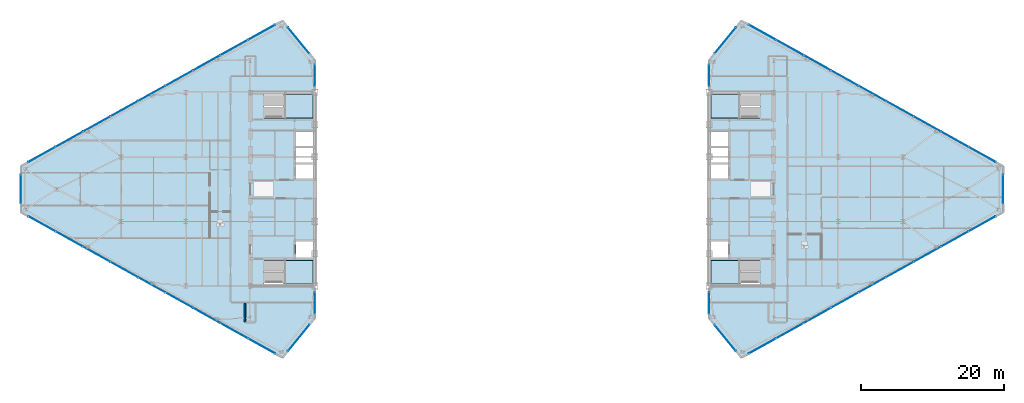
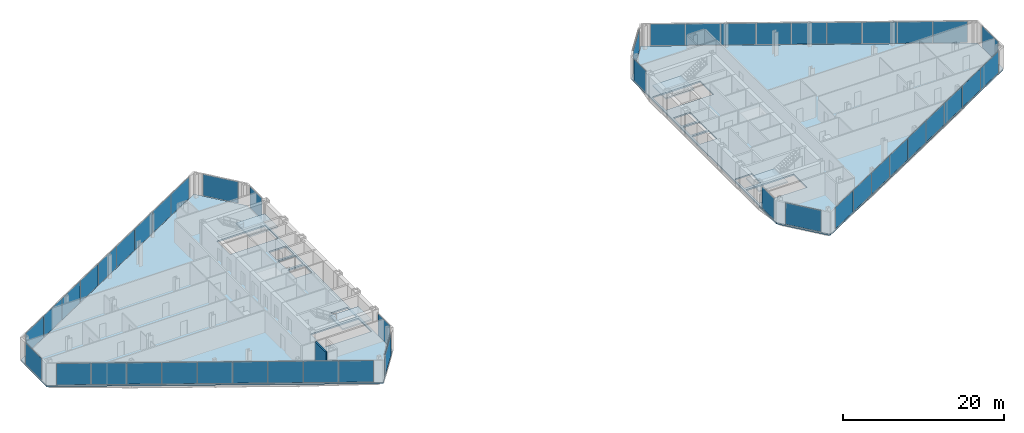
# One storey, part 18 of 26: 46 plates, 6 slabs, 1 wall, 18 elements without a shape of their own.
"""IFC4 building model written with IfcOpenShell, lengths in metres."""

from ifc_helpers import new_model, si_unit, direction, frame, frame_2d, origin, origin_2d, place, context, subcontext, project, spatial, polyline, rectangle, outline, extrude, source, transform, mapped, material, layer, layer_set, type_object, type_shapes, element, aggregate, save


model = new_model("IFC4")

# Units and contexts
model_context = context("Model", 3, precision=1e-05, world=origin(), true_north=direction((0.0, 1.0)))
body_context = subcontext(model_context, "Body", "Model", "MODEL_VIEW")
ifc_project = project(units=[si_unit("LENGTHUNIT", "METRE"), si_unit("AREAUNIT", "SQUARE_METRE"), si_unit("VOLUMEUNIT", "CUBIC_METRE"), si_unit("PLANEANGLEUNIT", "RADIAN"), si_unit("MASSUNIT", "GRAM", prefix="KILO")], contexts=[model_context])

# Site, building, storey
site_placement = place(None, origin())
site = spatial("IfcSite", under=ifc_project, at=site_placement, CompositionType="ELEMENT")
building_placement = place(site_placement, origin())
building = spatial("IfcBuilding", under=site, at=building_placement, Name="Seokmaru Belvedere", CompositionType="ELEMENT")
storey_placement = place(building_placement, frame((0.0, 0.0, 192.300048828125)))
storey = spatial("IfcBuildingStorey", under=building, at=storey_placement, Name="L51", CompositionType="ELEMENT", Elevation=192.300048828125)

# Stair, slab
ifc_material_1 = material(Name="Concrete C40 (40 MPa)", Category="concrete")
stair_type = type_object("IfcStairType", Name="Typical Tower Core Dog-Leg Stair 3600", PredefinedType="TWO_STRAIGHT_RUN_STAIR", material=ifc_material_1)
stair_1_placement = place(storey_placement, origin())
stair_1 = element("IfcStair", 1, at=stair_1_placement, inside=storey, type_object=stair_type, Name="L51 Special Escape Stair ST-W1", PredefinedType="TWO_STRAIGHT_RUN_STAIR")
ifc_layer_1 = layer(ifc_material_1, 0.199951171875)
ifc_layer_set_1 = layer_set([ifc_layer_1], Name="Concrete C40 (40 MPa)")
slab_type_1 = type_object("IfcSlabType", Name="Reinforced Concrete Stair Landing Slab 200", PredefinedType="LANDING", material=ifc_layer_set_1)
slab_1_placement = place(storey_placement, frame((0.0, 0.0, 1.599853515625)))
slab_1 = element("IfcSlab", 2, at=slab_1_placement, type_object=slab_type_1, Name="ST-W1 landing 1", PredefinedType="LANDING", context=body_context, shape_type="SweptSolid", body=[
    extrude(outline(polyline([(-31.8798828125, -13.239990234375), (-27.760009765625, -13.239990234375), (-27.760009765625, -9.949951171875), (-31.8798828125, -9.949951171875), (-31.8798828125, -13.239990234375)])), origin(), (0.0, 0.0, 1.0), 0.2001953125),
])
aggregate(stair_1, [slab_1])

stair_2_placement = place(storey_placement, origin())
stair_2 = element("IfcStair", 3, at=stair_2_placement, inside=storey, type_object=stair_type, Name="L51 Special Escape Stair ST-W2", PredefinedType="TWO_STRAIGHT_RUN_STAIR")
slab_2_placement = place(storey_placement, frame((0.0, 0.0, 1.599853515625)))
slab_2 = element("IfcSlab", 4, at=slab_2_placement, type_object=slab_type_1, Name="ST-W2 landing 1", PredefinedType="LANDING", context=body_context, shape_type="SweptSolid", body=[
    extrude(outline(polyline([(-31.8798828125, 9.949951171875), (-27.760009765625, 9.949951171875), (-27.760009765625, 13.239990234375), (-31.8798828125, 13.239990234375), (-31.8798828125, 9.949951171875)])), origin(), (0.0, 0.0, 1.0), 0.2001953125),
])
aggregate(stair_2, [slab_2])

stair_3_placement = place(storey_placement, origin())
stair_3 = element("IfcStair", 5, at=stair_3_placement, inside=storey, type_object=stair_type, Name="L51 Special Escape Stair ST-E1", PredefinedType="TWO_STRAIGHT_RUN_STAIR")
slab_3_placement = place(storey_placement, frame((0.0, 0.0, 1.599853515625)))
slab_3 = element("IfcSlab", 6, at=slab_3_placement, type_object=slab_type_1, Name="ST-E1 landing 1", PredefinedType="LANDING", context=body_context, shape_type="SweptSolid", body=[
    extrude(outline(polyline([(27.760009765625, -13.239990234375), (31.8798828125, -13.239990234375), (31.8798828125, -9.949951171875), (27.760009765625, -9.949951171875), (27.760009765625, -13.239990234375)])), origin(), (0.0, 0.0, 1.0), 0.2001953125),
])
aggregate(stair_3, [slab_3])

stair_4_placement = place(storey_placement, origin())
stair_4 = element("IfcStair", 7, at=stair_4_placement, inside=storey, type_object=stair_type, Name="L51 Special Escape Stair ST-E2", PredefinedType="TWO_STRAIGHT_RUN_STAIR")
slab_4_placement = place(storey_placement, frame((0.0, 0.0, 1.599853515625)))
slab_4 = element("IfcSlab", 8, at=slab_4_placement, type_object=slab_type_1, Name="ST-E2 landing 1", PredefinedType="LANDING", context=body_context, shape_type="SweptSolid", body=[
    extrude(outline(polyline([(27.760009765625, 9.949951171875), (31.8798828125, 9.949951171875), (31.8798828125, 13.239990234375), (27.760009765625, 13.239990234375), (27.760009765625, 9.949951171875)])), origin(), (0.0, 0.0, 1.0), 0.2001953125),
])
aggregate(stair_4, [slab_4])

# Slabs
ifc_layer_2 = layer(ifc_material_1, 0.219970703125)
ifc_layer_set_2 = layer_set([ifc_layer_2], Name="Concrete C40 (40 MPa)")
slab_type_2 = type_object("IfcSlabType", Name="Typical Tower Composite Floor Slab 220", PredefinedType="FLOOR", material=ifc_layer_set_2)
slab_5_placement = place(storey_placement, frame((0.0, 0.0, -0.219970703125)))
element("IfcSlab", 9, at=slab_5_placement, inside=storey, type_object=slab_type_2, Name="L51 West Leg Floor Slab", PredefinedType="FLOOR", context=body_context, shape_type="SweptSolid", body=[
    extrude(outline(polyline([(-27.5, -18.0), (-27.5, 18.0), (-32.0, 23.5), (-68.5, 3.199951171875), (-68.5, -3.199951171875), (-32.0, -23.5), (-27.5, -18.0)]), holes=[polyline([(-34.60009765625, -13.25), (-27.75, -13.25), (-27.75, -9.949951171875), (-34.60009765625, -9.949951171875), (-34.60009765625, -13.25)]), polyline([(-34.60009765625, 9.949951171875), (-27.75, 9.949951171875), (-27.75, 13.25), (-34.60009765625, 13.25), (-34.60009765625, 9.949951171875)]), polyline([(-30.14990234375, -9.550048828125), (-27.75, -9.550048828125), (-27.75, -7.25), (-30.14990234375, -7.25), (-30.14990234375, -9.550048828125)]), polyline([(-30.14990234375, 1.449951171875), (-27.75, 1.449951171875), (-27.75, 3.449951171875), (-30.14990234375, 3.449951171875), (-30.14990234375, 1.449951171875)]), polyline([(-30.14990234375, 3.75), (-27.75, 3.75), (-27.75, 5.75), (-30.14990234375, 5.75), (-30.14990234375, 3.75)]), polyline([(-30.14990234375, 6.050048828125), (-27.75, 6.050048828125), (-27.75, 8.050048828125), (-30.14990234375, 8.050048828125), (-30.14990234375, 6.050048828125)])]), origin(), (0.0, 0.0, 1.0), 0.219970703125),
])
slab_6_placement = place(storey_placement, frame((0.0, 0.0, -0.219970703125)))
element("IfcSlab", 10, at=slab_6_placement, inside=storey, type_object=slab_type_2, Name="L51 East Leg Floor Slab", PredefinedType="FLOOR", context=body_context, shape_type="SweptSolid", body=[
    extrude(outline(polyline([(32.0, -23.5), (68.5, -3.199951171875), (68.5, 3.199951171875), (32.0, 23.5), (27.5, 18.0), (27.5, -18.0), (32.0, -23.5)]), holes=[polyline([(27.75, -13.25), (34.60009765625, -13.25), (34.60009765625, -9.949951171875), (27.75, -9.949951171875), (27.75, -13.25)]), polyline([(27.75, 9.949951171875), (34.60009765625, 9.949951171875), (34.60009765625, 13.25), (27.75, 13.25), (27.75, 9.949951171875)]), polyline([(27.75, -9.550048828125), (30.14990234375, -9.550048828125), (30.14990234375, -7.25), (27.75, -7.25), (27.75, -9.550048828125)]), polyline([(27.75, 1.449951171875), (30.14990234375, 1.449951171875), (30.14990234375, 3.449951171875), (27.75, 3.449951171875), (27.75, 1.449951171875)]), polyline([(27.75, 3.75), (30.14990234375, 3.75), (30.14990234375, 5.75), (27.75, 5.75), (27.75, 3.75)]), polyline([(27.75, 6.050048828125), (30.14990234375, 6.050048828125), (30.14990234375, 8.050048828125), (27.75, 8.050048828125), (27.75, 6.050048828125)])]), origin(), (0.0, 0.0, 1.0), 0.219970703125),
])

# Curtain wall, plate
ifc_material_2 = material(Name="Bronze Triple Insulating Glass", Category="glass")
ifc_layer_3 = layer(ifc_material_2, 0.179931640625)
ifc_layer_set_3 = layer_set([ifc_layer_3], Name="Bronze Triple Insulating Glass")
curtain_wall_type = type_object("IfcCurtainWallType", Name="High-Rise Wind-Corner Curtain Wall System CW-5", PredefinedType="NOTDEFINED", material=ifc_layer_set_3)
curtain_wall_1_placement = place(storey_placement, origin())
curtain_wall_1 = element("IfcCurtainWall", 11, at=curtain_wall_1_placement, inside=storey, type_object=curtain_wall_type, Name="L51 Curtain Wall WSP_1", PredefinedType="NOTDEFINED")
ifc_layer_4 = layer(ifc_material_2, 0.035888671875)
ifc_layer_set_4 = layer_set([ifc_layer_4], Name="Bronze Triple Insulating Glass")
plate_type = type_object("IfcPlateType", Name="Bronze Triple Vision Glazing Panel 36", PredefinedType="CURTAIN_PANEL", material=ifc_layer_set_4)
shared_shape_1 = source(origin(), body_context, "Body", "SweptSolid", [
    extrude(rectangle(XDim=2.969970703125, YDim=0.035888671875, at=origin_2d()), origin(), (0.0, 0.0, 1.0), 3.25),
])
plate_1_placement = place(storey_placement, frame((-27.5, -15.8798828125, 0.06494140625), z_axis=(0.0, 0.0, 1.0), x_axis=(0.0, 1.0, 0.0)))
plate_1 = element("IfcPlate", 12, at=plate_1_placement, type_object=plate_type, Name="CW:L51:WSP_1 Glazing Panel 1-1", PredefinedType="CURTAIN_PANEL", context=body_context, shape_type="MappedRepresentation", body=[
    mapped(shared_shape_1, transform((0.0, 0.0, 0.0), scale=1.0)),
])
aggregate(curtain_wall_1, [plate_1])

curtain_wall_2_placement = place(storey_placement, origin())
curtain_wall_2 = element("IfcCurtainWall", 13, at=curtain_wall_2_placement, inside=storey, type_object=curtain_wall_type, Name="L51 Curtain Wall WSP_2", PredefinedType="NOTDEFINED")
plate_2_placement = place(storey_placement, frame((-27.5, 15.8798828125, 0.06494140625), z_axis=(0.0, 0.0, 1.0), x_axis=(0.0, 1.0, 0.0)))
plate_2 = element("IfcPlate", 14, at=plate_2_placement, type_object=plate_type, Name="CW:L51:WSP_2 Glazing Panel 1-1", PredefinedType="CURTAIN_PANEL", context=body_context, shape_type="MappedRepresentation", body=[
    mapped(shared_shape_1, transform((0.0, 0.0, 0.0), scale=1.0)),
])
aggregate(curtain_wall_2, [plate_2])

curtain_wall_3_placement = place(storey_placement, origin())
curtain_wall_3 = element("IfcCurtainWall", 15, at=curtain_wall_3_placement, inside=storey, type_object=curtain_wall_type, Name="L51 Curtain Wall ESP_1", PredefinedType="NOTDEFINED")
plate_3_placement = place(storey_placement, frame((27.5, -15.8798828125, 0.06494140625), z_axis=(0.0, 0.0, 1.0), x_axis=(0.0, -1.0, 0.0)))
plate_3 = element("IfcPlate", 16, at=plate_3_placement, type_object=plate_type, Name="CW:L51:ESP_1 Glazing Panel 1-1", PredefinedType="CURTAIN_PANEL", context=body_context, shape_type="MappedRepresentation", body=[
    mapped(shared_shape_1, transform((0.0, 0.0, 0.0), scale=1.0)),
])
aggregate(curtain_wall_3, [plate_3])

curtain_wall_4_placement = place(storey_placement, origin())
curtain_wall_4 = element("IfcCurtainWall", 17, at=curtain_wall_4_placement, inside=storey, type_object=curtain_wall_type, Name="L51 Curtain Wall ESP_2", PredefinedType="NOTDEFINED")
plate_4_placement = place(storey_placement, frame((27.5, 15.8798828125, 0.06494140625), z_axis=(0.0, 0.0, 1.0), x_axis=(0.0, -1.0, 0.0)))
plate_4 = element("IfcPlate", 18, at=plate_4_placement, type_object=plate_type, Name="CW:L51:ESP_2 Glazing Panel 1-1", PredefinedType="CURTAIN_PANEL", context=body_context, shape_type="MappedRepresentation", body=[
    mapped(shared_shape_1, transform((0.0, 0.0, 0.0), scale=1.0)),
])
aggregate(curtain_wall_4, [plate_4])

curtain_wall_5_placement = place(storey_placement, origin())
curtain_wall_5 = element("IfcCurtainWall", 19, at=curtain_wall_5_placement, inside=storey, type_object=curtain_wall_type, Name="L51 Curtain Wall WF2", PredefinedType="NOTDEFINED")
shared_shape_2 = source(origin(), body_context, "Body", "SweptSolid", [
    extrude(rectangle(XDim=4.67626953125, YDim=0.035888671875, at=origin_2d()), origin(), (0.0, 0.0, 1.0), 3.25),
])
plate_5_placement = place(storey_placement, frame((-29.75, 20.75, 0.06494140625), z_axis=(0.0, 0.0, 1.0), x_axis=(-0.633253907144, 0.773944112379, 0.0)))
plate_5 = element("IfcPlate", 20, at=plate_5_placement, type_object=plate_type, Name="CW:L51:WF2 Glazing Panel 1-1", PredefinedType="CURTAIN_PANEL", context=body_context, shape_type="MappedRepresentation", body=[
    mapped(shared_shape_2, transform((0.0, 0.0, 0.0), scale=1.0)),
])
aggregate(curtain_wall_5, [plate_5])

curtain_wall_6_placement = place(storey_placement, origin())
curtain_wall_6 = element("IfcCurtainWall", 21, at=curtain_wall_6_placement, inside=storey, type_object=curtain_wall_type, Name="L51 Curtain Wall WF6", PredefinedType="NOTDEFINED")
plate_6_placement = place(storey_placement, frame((-29.75, -20.75, 0.06494140625), z_axis=(0.0, 0.0, 1.0), x_axis=(0.633253907144, 0.773944112379, 0.0)))
plate_6 = element("IfcPlate", 22, at=plate_6_placement, type_object=plate_type, Name="CW:L51:WF6 Glazing Panel 1-1", PredefinedType="CURTAIN_PANEL", context=body_context, shape_type="MappedRepresentation", body=[
    mapped(shared_shape_2, transform((0.0, 0.0, 0.0), scale=1.0)),
])
aggregate(curtain_wall_6, [plate_6])

curtain_wall_7_placement = place(storey_placement, origin())
curtain_wall_7 = element("IfcCurtainWall", 23, at=curtain_wall_7_placement, inside=storey, type_object=curtain_wall_type, Name="L51 Curtain Wall EF4", PredefinedType="NOTDEFINED")
plate_7_placement = place(storey_placement, frame((29.75, 20.75, 0.06494140625), z_axis=(0.0, 0.0, 1.0), x_axis=(-0.633253907144, -0.773944112379, 0.0)))
plate_7 = element("IfcPlate", 24, at=plate_7_placement, type_object=plate_type, Name="CW:L51:EF4 Glazing Panel 1-1", PredefinedType="CURTAIN_PANEL", context=body_context, shape_type="MappedRepresentation", body=[
    mapped(shared_shape_2, transform((0.0, 0.0, 0.0), scale=1.0)),
])
aggregate(curtain_wall_7, [plate_7])

curtain_wall_8_placement = place(storey_placement, origin())
curtain_wall_8 = element("IfcCurtainWall", 25, at=curtain_wall_8_placement, inside=storey, type_object=curtain_wall_type, Name="L51 Curtain Wall EF6", PredefinedType="NOTDEFINED")
plate_8_placement = place(storey_placement, frame((29.75, -20.75, 0.06494140625), z_axis=(0.0, 0.0, 1.0), x_axis=(0.633253907144, -0.773944112379, 0.0)))
plate_8 = element("IfcPlate", 26, at=plate_8_placement, type_object=plate_type, Name="CW:L51:EF6 Glazing Panel 1-1", PredefinedType="CURTAIN_PANEL", context=body_context, shape_type="MappedRepresentation", body=[
    mapped(shared_shape_2, transform((0.0, 0.0, 0.0), scale=1.0)),
])
aggregate(curtain_wall_8, [plate_8])

# Curtain wall, plates
curtain_wall_9_placement = place(storey_placement, origin())
curtain_wall_9 = element("IfcCurtainWall", 27, at=curtain_wall_9_placement, inside=storey, type_object=curtain_wall_type, Name="L51 Curtain Wall WF3", PredefinedType="NOTDEFINED")
shared_shape_3 = source(origin(), body_context, "Body", "SweptSolid", [
    extrude(rectangle(XDim=4.28759765625, YDim=0.035888671875, at=origin_2d()), origin(), (0.0, 0.0, 1.0), 3.25),
])
plate_9_placement = place(storey_placement, frame((-34.935302734375, 21.867431640625, 0.06494140625), z_axis=(0.0, 0.0, 1.0), x_axis=(-0.873932601598, -0.486047125147, 0.0)))
plate_9 = element("IfcPlate", 28, at=plate_9_placement, type_object=plate_type, Name="CW:L51:WF3 Glazing Panel 1-1", PredefinedType="CURTAIN_PANEL", context=body_context, shape_type="MappedRepresentation", body=[
    mapped(shared_shape_3, transform((0.0, 0.0, 0.0), scale=1.0)),
])
plate_10_placement = place(storey_placement, frame((-65.564697265625, 4.83251953125, 0.06494140625), z_axis=(0.0, 0.0, 1.0), x_axis=(-0.873932601598, -0.486047125147, 0.0)))
plate_10 = element("IfcPlate", 29, at=plate_10_placement, type_object=plate_type, Name="CW:L51:WF3 Glazing Panel 9-1", PredefinedType="CURTAIN_PANEL", context=body_context, shape_type="MappedRepresentation", body=[
    mapped(shared_shape_3, transform((0.0, 0.0, 0.0), scale=1.0)),
])

curtain_wall_10_placement = place(storey_placement, origin())
curtain_wall_10 = element("IfcCurtainWall", 30, at=curtain_wall_10_placement, inside=storey, type_object=curtain_wall_type, Name="L51 Curtain Wall WF5", PredefinedType="NOTDEFINED")
plate_11_placement = place(storey_placement, frame((-65.564697265625, -4.83251953125, 0.06494140625), z_axis=(0.0, 0.0, 1.0), x_axis=(0.873932601598, -0.486047125147, 0.0)))
plate_11 = element("IfcPlate", 31, at=plate_11_placement, type_object=plate_type, Name="CW:L51:WF5 Glazing Panel 1-1", PredefinedType="CURTAIN_PANEL", context=body_context, shape_type="MappedRepresentation", body=[
    mapped(shared_shape_3, transform((0.0, 0.0, 0.0), scale=1.0)),
])
plate_12_placement = place(storey_placement, frame((-34.935302734375, -21.867431640625, 0.06494140625), z_axis=(0.0, 0.0, 1.0), x_axis=(0.873932601598, -0.486047125147, 0.0)))
plate_12 = element("IfcPlate", 32, at=plate_12_placement, type_object=plate_type, Name="CW:L51:WF5 Glazing Panel 9-1", PredefinedType="CURTAIN_PANEL", context=body_context, shape_type="MappedRepresentation", body=[
    mapped(shared_shape_3, transform((0.0, 0.0, 0.0), scale=1.0)),
])

curtain_wall_11_placement = place(storey_placement, origin())
curtain_wall_11 = element("IfcCurtainWall", 33, at=curtain_wall_11_placement, inside=storey, type_object=curtain_wall_type, Name="L51 Curtain Wall EF1", PredefinedType="NOTDEFINED")
plate_13_placement = place(storey_placement, frame((34.935302734375, -21.867431640625, 0.06494140625), z_axis=(0.0, 0.0, 1.0), x_axis=(0.873932601598, 0.486047125147, 0.0)))
plate_13 = element("IfcPlate", 34, at=plate_13_placement, type_object=plate_type, Name="CW:L51:EF1 Glazing Panel 1-1", PredefinedType="CURTAIN_PANEL", context=body_context, shape_type="MappedRepresentation", body=[
    mapped(shared_shape_3, transform((0.0, 0.0, 0.0), scale=1.0)),
])
plate_14_placement = place(storey_placement, frame((65.564697265625, -4.83251953125, 0.06494140625), z_axis=(0.0, 0.0, 1.0), x_axis=(0.873932601598, 0.486047125147, 0.0)))
plate_14 = element("IfcPlate", 35, at=plate_14_placement, type_object=plate_type, Name="CW:L51:EF1 Glazing Panel 9-1", PredefinedType="CURTAIN_PANEL", context=body_context, shape_type="MappedRepresentation", body=[
    mapped(shared_shape_3, transform((0.0, 0.0, 0.0), scale=1.0)),
])

curtain_wall_12_placement = place(storey_placement, origin())
curtain_wall_12 = element("IfcCurtainWall", 36, at=curtain_wall_12_placement, inside=storey, type_object=curtain_wall_type, Name="L51 Curtain Wall EF3", PredefinedType="NOTDEFINED")
plate_15_placement = place(storey_placement, frame((65.564697265625, 4.83251953125, 0.06494140625), z_axis=(0.0, 0.0, 1.0), x_axis=(-0.873932601598, 0.486047125147, 0.0)))
plate_15 = element("IfcPlate", 37, at=plate_15_placement, type_object=plate_type, Name="CW:L51:EF3 Glazing Panel 1-1", PredefinedType="CURTAIN_PANEL", context=body_context, shape_type="MappedRepresentation", body=[
    mapped(shared_shape_3, transform((0.0, 0.0, 0.0), scale=1.0)),
])
plate_16_placement = place(storey_placement, frame((34.935302734375, 21.867431640625, 0.06494140625), z_axis=(0.0, 0.0, 1.0), x_axis=(-0.873932601598, 0.486047125147, 0.0)))
plate_16 = element("IfcPlate", 38, at=plate_16_placement, type_object=plate_type, Name="CW:L51:EF3 Glazing Panel 9-1", PredefinedType="CURTAIN_PANEL", context=body_context, shape_type="MappedRepresentation", body=[
    mapped(shared_shape_3, transform((0.0, 0.0, 0.0), scale=1.0)),
])

# Plate
shared_shape_4 = source(origin(), body_context, "Body", "SweptSolid", [
    extrude(rectangle(XDim=4.320068359375, YDim=0.035888671875, at=origin_2d()), origin(), (0.0, 0.0, 1.0), 3.25),
])
plate_17_placement = place(storey_placement, frame((-38.75341796875, 19.743896484375, 0.06494140625), z_axis=(0.0, 0.0, 1.0), x_axis=(-0.873932601598, -0.486047125147, 0.0)))
plate_17 = element("IfcPlate", 39, at=plate_17_placement, type_object=plate_type, Name="CW:L51:WF3 Glazing Panel 2-1", PredefinedType="CURTAIN_PANEL", context=body_context, shape_type="MappedRepresentation", body=[
    mapped(shared_shape_4, transform((0.0, 0.0, 0.0), scale=1.0)),
])

plate_18_placement = place(storey_placement, frame((-42.585693359375, 17.61279296875, 0.06494140625), z_axis=(0.0, 0.0, 1.0), x_axis=(-0.873932601598, -0.486047125147, 0.0)))
plate_18 = element("IfcPlate", 40, at=plate_18_placement, type_object=plate_type, Name="CW:L51:WF3 Glazing Panel 3-1", PredefinedType="CURTAIN_PANEL", context=body_context, shape_type="MappedRepresentation", body=[
    mapped(shared_shape_4, transform((0.0, 0.0, 0.0), scale=1.0)),
])

plate_19_placement = place(storey_placement, frame((-46.417724609375, 15.481201171875, 0.06494140625), z_axis=(0.0, 0.0, 1.0), x_axis=(-0.873932601598, -0.486047125147, 0.0)))
plate_19 = element("IfcPlate", 41, at=plate_19_placement, type_object=plate_type, Name="CW:L51:WF3 Glazing Panel 4-1", PredefinedType="CURTAIN_PANEL", context=body_context, shape_type="MappedRepresentation", body=[
    mapped(shared_shape_4, transform((0.0, 0.0, 0.0), scale=1.0)),
])

plate_20_placement = place(storey_placement, frame((-50.25, 13.35009765625, 0.06494140625), z_axis=(0.0, 0.0, 1.0), x_axis=(-0.873932601598, -0.486047125147, 0.0)))
plate_20 = element("IfcPlate", 42, at=plate_20_placement, type_object=plate_type, Name="CW:L51:WF3 Glazing Panel 5-1", PredefinedType="CURTAIN_PANEL", context=body_context, shape_type="MappedRepresentation", body=[
    mapped(shared_shape_4, transform((0.0, 0.0, 0.0), scale=1.0)),
])

plate_21_placement = place(storey_placement, frame((-54.082275390625, 11.21875, 0.06494140625), z_axis=(0.0, 0.0, 1.0), x_axis=(-0.873932601598, -0.486047125147, 0.0)))
plate_21 = element("IfcPlate", 43, at=plate_21_placement, type_object=plate_type, Name="CW:L51:WF3 Glazing Panel 6-1", PredefinedType="CURTAIN_PANEL", context=body_context, shape_type="MappedRepresentation", body=[
    mapped(shared_shape_4, transform((0.0, 0.0, 0.0), scale=1.0)),
])

plate_22_placement = place(storey_placement, frame((-57.914306640625, 9.08740234375, 0.06494140625), z_axis=(0.0, 0.0, 1.0), x_axis=(-0.873932601598, -0.486047125147, 0.0)))
plate_22 = element("IfcPlate", 44, at=plate_22_placement, type_object=plate_type, Name="CW:L51:WF3 Glazing Panel 7-1", PredefinedType="CURTAIN_PANEL", context=body_context, shape_type="MappedRepresentation", body=[
    mapped(shared_shape_4, transform((0.0, 0.0, 0.0), scale=1.0)),
])

plate_23_placement = place(storey_placement, frame((-61.74658203125, 6.9560546875, 0.06494140625), z_axis=(0.0, 0.0, 1.0), x_axis=(-0.873932601598, -0.486047125147, 0.0)))
plate_23 = element("IfcPlate", 45, at=plate_23_placement, type_object=plate_type, Name="CW:L51:WF3 Glazing Panel 8-1", PredefinedType="CURTAIN_PANEL", context=body_context, shape_type="MappedRepresentation", body=[
    mapped(shared_shape_4, transform((0.0, 0.0, 0.0), scale=1.0)),
])

aggregate(curtain_wall_9, [plate_9, plate_17, plate_18, plate_19, plate_20, plate_21, plate_22, plate_23, plate_10])

plate_24_placement = place(storey_placement, frame((-61.74658203125, -6.9560546875, 0.06494140625), z_axis=(0.0, 0.0, 1.0), x_axis=(0.873932601598, -0.486047125147, 0.0)))
plate_24 = element("IfcPlate", 46, at=plate_24_placement, type_object=plate_type, Name="CW:L51:WF5 Glazing Panel 2-1", PredefinedType="CURTAIN_PANEL", context=body_context, shape_type="MappedRepresentation", body=[
    mapped(shared_shape_4, transform((0.0, 0.0, 0.0), scale=1.0)),
])

plate_25_placement = place(storey_placement, frame((-57.914306640625, -9.08740234375, 0.06494140625), z_axis=(0.0, 0.0, 1.0), x_axis=(0.873932601598, -0.486047125147, 0.0)))
plate_25 = element("IfcPlate", 47, at=plate_25_placement, type_object=plate_type, Name="CW:L51:WF5 Glazing Panel 3-1", PredefinedType="CURTAIN_PANEL", context=body_context, shape_type="MappedRepresentation", body=[
    mapped(shared_shape_4, transform((0.0, 0.0, 0.0), scale=1.0)),
])

plate_26_placement = place(storey_placement, frame((-54.082275390625, -11.21875, 0.06494140625), z_axis=(0.0, 0.0, 1.0), x_axis=(0.873932601598, -0.486047125147, 0.0)))
plate_26 = element("IfcPlate", 48, at=plate_26_placement, type_object=plate_type, Name="CW:L51:WF5 Glazing Panel 4-1", PredefinedType="CURTAIN_PANEL", context=body_context, shape_type="MappedRepresentation", body=[
    mapped(shared_shape_4, transform((0.0, 0.0, 0.0), scale=1.0)),
])

plate_27_placement = place(storey_placement, frame((-50.25, -13.35009765625, 0.06494140625), z_axis=(0.0, 0.0, 1.0), x_axis=(0.873932601598, -0.486047125147, 0.0)))
plate_27 = element("IfcPlate", 49, at=plate_27_placement, type_object=plate_type, Name="CW:L51:WF5 Glazing Panel 5-1", PredefinedType="CURTAIN_PANEL", context=body_context, shape_type="MappedRepresentation", body=[
    mapped(shared_shape_4, transform((0.0, 0.0, 0.0), scale=1.0)),
])

plate_28_placement = place(storey_placement, frame((-46.417724609375, -15.481201171875, 0.06494140625), z_axis=(0.0, 0.0, 1.0), x_axis=(0.873932601598, -0.486047125147, 0.0)))
plate_28 = element("IfcPlate", 50, at=plate_28_placement, type_object=plate_type, Name="CW:L51:WF5 Glazing Panel 6-1", PredefinedType="CURTAIN_PANEL", context=body_context, shape_type="MappedRepresentation", body=[
    mapped(shared_shape_4, transform((0.0, 0.0, 0.0), scale=1.0)),
])

plate_29_placement = place(storey_placement, frame((-42.585693359375, -17.61279296875, 0.06494140625), z_axis=(0.0, 0.0, 1.0), x_axis=(0.873932601598, -0.486047125147, 0.0)))
plate_29 = element("IfcPlate", 51, at=plate_29_placement, type_object=plate_type, Name="CW:L51:WF5 Glazing Panel 7-1", PredefinedType="CURTAIN_PANEL", context=body_context, shape_type="MappedRepresentation", body=[
    mapped(shared_shape_4, transform((0.0, 0.0, 0.0), scale=1.0)),
])

plate_30_placement = place(storey_placement, frame((-38.75341796875, -19.743896484375, 0.06494140625), z_axis=(0.0, 0.0, 1.0), x_axis=(0.873932601598, -0.486047125147, 0.0)))
plate_30 = element("IfcPlate", 52, at=plate_30_placement, type_object=plate_type, Name="CW:L51:WF5 Glazing Panel 8-1", PredefinedType="CURTAIN_PANEL", context=body_context, shape_type="MappedRepresentation", body=[
    mapped(shared_shape_4, transform((0.0, 0.0, 0.0), scale=1.0)),
])

aggregate(curtain_wall_10, [plate_11, plate_24, plate_25, plate_26, plate_27, plate_28, plate_29, plate_30, plate_12])

plate_31_placement = place(storey_placement, frame((38.75341796875, -19.743896484375, 0.06494140625), z_axis=(0.0, 0.0, 1.0), x_axis=(0.873932601598, 0.486047125147, 0.0)))
plate_31 = element("IfcPlate", 53, at=plate_31_placement, type_object=plate_type, Name="CW:L51:EF1 Glazing Panel 2-1", PredefinedType="CURTAIN_PANEL", context=body_context, shape_type="MappedRepresentation", body=[
    mapped(shared_shape_4, transform((0.0, 0.0, 0.0), scale=1.0)),
])

plate_32_placement = place(storey_placement, frame((42.585693359375, -17.61279296875, 0.06494140625), z_axis=(0.0, 0.0, 1.0), x_axis=(0.873932601598, 0.486047125147, 0.0)))
plate_32 = element("IfcPlate", 54, at=plate_32_placement, type_object=plate_type, Name="CW:L51:EF1 Glazing Panel 3-1", PredefinedType="CURTAIN_PANEL", context=body_context, shape_type="MappedRepresentation", body=[
    mapped(shared_shape_4, transform((0.0, 0.0, 0.0), scale=1.0)),
])

plate_33_placement = place(storey_placement, frame((46.417724609375, -15.481201171875, 0.06494140625), z_axis=(0.0, 0.0, 1.0), x_axis=(0.873932601598, 0.486047125147, 0.0)))
plate_33 = element("IfcPlate", 55, at=plate_33_placement, type_object=plate_type, Name="CW:L51:EF1 Glazing Panel 4-1", PredefinedType="CURTAIN_PANEL", context=body_context, shape_type="MappedRepresentation", body=[
    mapped(shared_shape_4, transform((0.0, 0.0, 0.0), scale=1.0)),
])

plate_34_placement = place(storey_placement, frame((50.25, -13.35009765625, 0.06494140625), z_axis=(0.0, 0.0, 1.0), x_axis=(0.873932601598, 0.486047125147, 0.0)))
plate_34 = element("IfcPlate", 56, at=plate_34_placement, type_object=plate_type, Name="CW:L51:EF1 Glazing Panel 5-1", PredefinedType="CURTAIN_PANEL", context=body_context, shape_type="MappedRepresentation", body=[
    mapped(shared_shape_4, transform((0.0, 0.0, 0.0), scale=1.0)),
])

plate_35_placement = place(storey_placement, frame((54.082275390625, -11.21875, 0.06494140625), z_axis=(0.0, 0.0, 1.0), x_axis=(0.873932601598, 0.486047125147, 0.0)))
plate_35 = element("IfcPlate", 57, at=plate_35_placement, type_object=plate_type, Name="CW:L51:EF1 Glazing Panel 6-1", PredefinedType="CURTAIN_PANEL", context=body_context, shape_type="MappedRepresentation", body=[
    mapped(shared_shape_4, transform((0.0, 0.0, 0.0), scale=1.0)),
])

plate_36_placement = place(storey_placement, frame((57.914306640625, -9.08740234375, 0.06494140625), z_axis=(0.0, 0.0, 1.0), x_axis=(0.873932601598, 0.486047125147, 0.0)))
plate_36 = element("IfcPlate", 58, at=plate_36_placement, type_object=plate_type, Name="CW:L51:EF1 Glazing Panel 7-1", PredefinedType="CURTAIN_PANEL", context=body_context, shape_type="MappedRepresentation", body=[
    mapped(shared_shape_4, transform((0.0, 0.0, 0.0), scale=1.0)),
])

plate_37_placement = place(storey_placement, frame((61.74658203125, -6.9560546875, 0.06494140625), z_axis=(0.0, 0.0, 1.0), x_axis=(0.873932601598, 0.486047125147, 0.0)))
plate_37 = element("IfcPlate", 59, at=plate_37_placement, type_object=plate_type, Name="CW:L51:EF1 Glazing Panel 8-1", PredefinedType="CURTAIN_PANEL", context=body_context, shape_type="MappedRepresentation", body=[
    mapped(shared_shape_4, transform((0.0, 0.0, 0.0), scale=1.0)),
])

aggregate(curtain_wall_11, [plate_13, plate_31, plate_32, plate_33, plate_34, plate_35, plate_36, plate_37, plate_14])

plate_38_placement = place(storey_placement, frame((61.74658203125, 6.9560546875, 0.06494140625), z_axis=(0.0, 0.0, 1.0), x_axis=(-0.873932601598, 0.486047125147, 0.0)))
plate_38 = element("IfcPlate", 60, at=plate_38_placement, type_object=plate_type, Name="CW:L51:EF3 Glazing Panel 2-1", PredefinedType="CURTAIN_PANEL", context=body_context, shape_type="MappedRepresentation", body=[
    mapped(shared_shape_4, transform((0.0, 0.0, 0.0), scale=1.0)),
])

plate_39_placement = place(storey_placement, frame((57.914306640625, 9.08740234375, 0.06494140625), z_axis=(0.0, 0.0, 1.0), x_axis=(-0.873932601598, 0.486047125147, 0.0)))
plate_39 = element("IfcPlate", 61, at=plate_39_placement, type_object=plate_type, Name="CW:L51:EF3 Glazing Panel 3-1", PredefinedType="CURTAIN_PANEL", context=body_context, shape_type="MappedRepresentation", body=[
    mapped(shared_shape_4, transform((0.0, 0.0, 0.0), scale=1.0)),
])

plate_40_placement = place(storey_placement, frame((54.082275390625, 11.21875, 0.06494140625), z_axis=(0.0, 0.0, 1.0), x_axis=(-0.873932601598, 0.486047125147, 0.0)))
plate_40 = element("IfcPlate", 62, at=plate_40_placement, type_object=plate_type, Name="CW:L51:EF3 Glazing Panel 4-1", PredefinedType="CURTAIN_PANEL", context=body_context, shape_type="MappedRepresentation", body=[
    mapped(shared_shape_4, transform((0.0, 0.0, 0.0), scale=1.0)),
])

plate_41_placement = place(storey_placement, frame((50.25, 13.35009765625, 0.06494140625), z_axis=(0.0, 0.0, 1.0), x_axis=(-0.873932601598, 0.486047125147, 0.0)))
plate_41 = element("IfcPlate", 63, at=plate_41_placement, type_object=plate_type, Name="CW:L51:EF3 Glazing Panel 5-1", PredefinedType="CURTAIN_PANEL", context=body_context, shape_type="MappedRepresentation", body=[
    mapped(shared_shape_4, transform((0.0, 0.0, 0.0), scale=1.0)),
])

plate_42_placement = place(storey_placement, frame((46.417724609375, 15.481201171875, 0.06494140625), z_axis=(0.0, 0.0, 1.0), x_axis=(-0.873932601598, 0.486047125147, 0.0)))
plate_42 = element("IfcPlate", 64, at=plate_42_placement, type_object=plate_type, Name="CW:L51:EF3 Glazing Panel 6-1", PredefinedType="CURTAIN_PANEL", context=body_context, shape_type="MappedRepresentation", body=[
    mapped(shared_shape_4, transform((0.0, 0.0, 0.0), scale=1.0)),
])

plate_43_placement = place(storey_placement, frame((42.585693359375, 17.61279296875, 0.06494140625), z_axis=(0.0, 0.0, 1.0), x_axis=(-0.873932601598, 0.486047125147, 0.0)))
plate_43 = element("IfcPlate", 65, at=plate_43_placement, type_object=plate_type, Name="CW:L51:EF3 Glazing Panel 7-1", PredefinedType="CURTAIN_PANEL", context=body_context, shape_type="MappedRepresentation", body=[
    mapped(shared_shape_4, transform((0.0, 0.0, 0.0), scale=1.0)),
])

plate_44_placement = place(storey_placement, frame((38.75341796875, 19.743896484375, 0.06494140625), z_axis=(0.0, 0.0, 1.0), x_axis=(-0.873932601598, 0.486047125147, 0.0)))
plate_44 = element("IfcPlate", 66, at=plate_44_placement, type_object=plate_type, Name="CW:L51:EF3 Glazing Panel 8-1", PredefinedType="CURTAIN_PANEL", context=body_context, shape_type="MappedRepresentation", body=[
    mapped(shared_shape_4, transform((0.0, 0.0, 0.0), scale=1.0)),
])

aggregate(curtain_wall_12, [plate_15, plate_38, plate_39, plate_40, plate_41, plate_42, plate_43, plate_44, plate_16])

# Curtain wall, plate
curtain_wall_13_placement = place(storey_placement, origin())
curtain_wall_13 = element("IfcCurtainWall", 67, at=curtain_wall_13_placement, inside=storey, type_object=curtain_wall_type, Name="L51 Curtain Wall WF4", PredefinedType="NOTDEFINED")
shared_shape_5 = source(origin(), body_context, "Body", "SweptSolid", [
    extrude(rectangle(XDim=3.969970703125, YDim=0.035888671875, at=origin_2d()), origin(), (0.0, 0.0, 1.0), 3.25),
])
type_shapes(plate_type, [shared_shape_1, shared_shape_2, shared_shape_3, shared_shape_4, shared_shape_5])
plate_45_placement = place(storey_placement, frame((-68.5, 0.0, 0.06494140625), z_axis=(0.0, 0.0, 1.0), x_axis=(0.0, -1.0, 0.0)))
plate_45 = element("IfcPlate", 68, at=plate_45_placement, type_object=plate_type, Name="CW:L51:WF4 Glazing Panel 1-1", PredefinedType="CURTAIN_PANEL", context=body_context, shape_type="MappedRepresentation", body=[
    mapped(shared_shape_5, transform((0.0, 0.0, 0.0), scale=1.0)),
])
aggregate(curtain_wall_13, [plate_45])

curtain_wall_14_placement = place(storey_placement, origin())
curtain_wall_14 = element("IfcCurtainWall", 69, at=curtain_wall_14_placement, inside=storey, type_object=curtain_wall_type, Name="L51 Curtain Wall EF2", PredefinedType="NOTDEFINED")
plate_46_placement = place(storey_placement, frame((68.5, 0.0, 0.06494140625), z_axis=(0.0, 0.0, 1.0), x_axis=(0.0, 1.0, 0.0)))
plate_46 = element("IfcPlate", 70, at=plate_46_placement, type_object=plate_type, Name="CW:L51:EF2 Glazing Panel 1-1", PredefinedType="CURTAIN_PANEL", context=body_context, shape_type="MappedRepresentation", body=[
    mapped(shared_shape_5, transform((0.0, 0.0, 0.0), scale=1.0)),
])
aggregate(curtain_wall_14, [plate_46])

# Wall
ifc_material_3 = material(Name="Fire-Rated Gypsum Shaftwall")
ifc_layer_5 = layer(ifc_material_3, 0.199951171875)
ifc_layer_set_5 = layer_set([ifc_layer_5], Name="Fire-Rated Gypsum Shaftwall")
wall_type = type_object("IfcWallType", Name="Inter-Tenancy Fire Compartment Partition 200", PredefinedType="PARTITIONING", material=ifc_layer_set_5)
wall_placement = place(storey_placement, frame((-37.25, -18.514892578125, 0.0), z_axis=(0.0, 0.0, 1.0), x_axis=(0.0, 1.0, 0.0)))
element("IfcWall", 71, at=wall_placement, inside=storey, type_object=wall_type, Name="L51 Interior Partition 026", PredefinedType="PARTITIONING", context=body_context, shape_type="SweptSolid", body=[
    extrude(rectangle(XDim=2.6298828125, YDim=0.199951171875, at=frame_2d((1.31494140625, 0.0))), origin(), (0.0, 0.0, 1.0), 3.3798828125),
])

save(model, "model.ifc")
